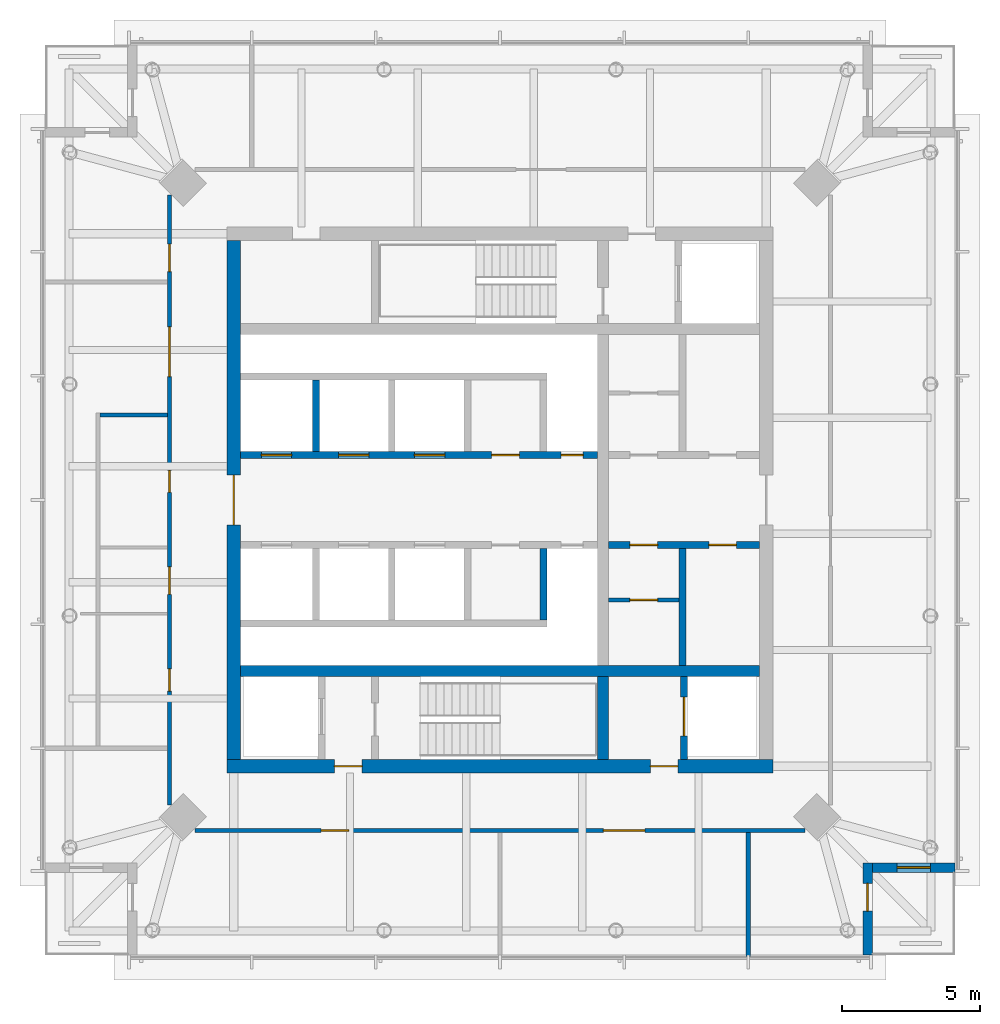
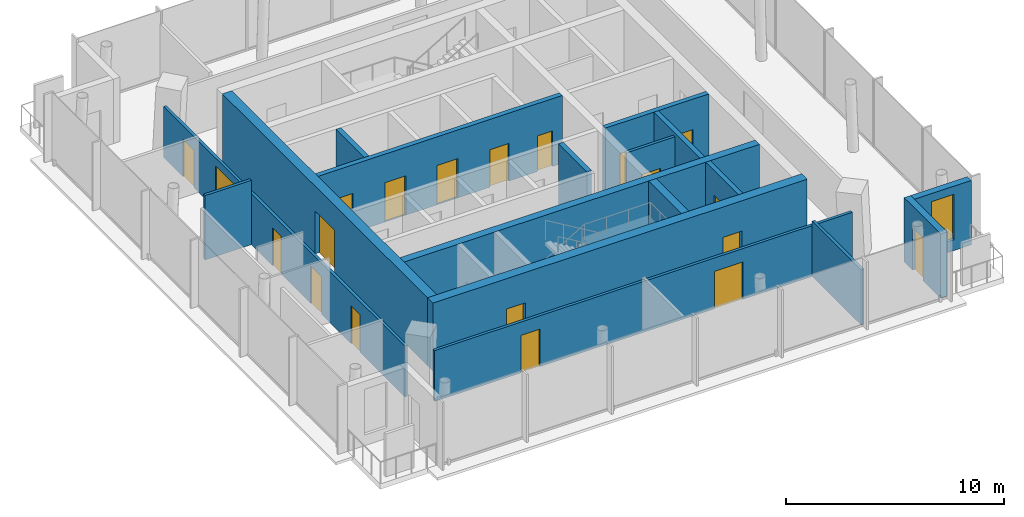
# One storey, part 4 of 8: 20 doors, 17 walls, 1 window, 21 openings.
"""IFC4 building model written with IfcOpenShell, lengths in metres."""

from ifc_helpers import new_model, si_unit, direction, frame, frame_2d, origin, place, context, subcontext, project, spatial, rectangle, extrude, material, layer, layer_set, type_object, element, fill, save


model = new_model("IFC4")

# Units and contexts
model_context = context("Model", 3, precision=1e-05, world=origin(), true_north=direction((0.0, 1.0)))
body_context = subcontext(model_context, "Body", "Model", "MODEL_VIEW")
ifc_project = project(units=[si_unit("LENGTHUNIT", "METRE"), si_unit("AREAUNIT", "SQUARE_METRE"), si_unit("VOLUMEUNIT", "CUBIC_METRE"), si_unit("PLANEANGLEUNIT", "RADIAN"), si_unit("MASSUNIT", "GRAM", prefix="KILO")], contexts=[model_context])

# Site, building, storey
site_placement = place(None, origin())
site = spatial("IfcSite", under=ifc_project, at=site_placement, CompositionType="ELEMENT")
building_placement = place(site_placement, origin())
building = spatial("IfcBuilding", under=site, at=building_placement, Name="Ostroluk Exchange", CompositionType="ELEMENT")
storey_placement = place(building_placement, frame((0.0, 0.0, 283.199951171875)))
storey = spatial("IfcBuildingStorey", under=building, at=storey_placement, Name="L73", CompositionType="ELEMENT", Elevation=283.199951171875)

# Wall, opening, door
ifc_material_1 = material(Name="Concrete blockwork", Category="masonry")
ifc_layer_1 = layer(ifc_material_1, 0.14990234375)
ifc_layer_set_1 = layer_set([ifc_layer_1], Name="Blockwork plant room wall 150")
wall_type_1 = type_object("IfcWallType", Name="Blockwork plant room wall 150", PredefinedType="SOLIDWALL", material=ifc_layer_set_1)
wall_1_placement = place(storey_placement, frame((48.929931640625, 42.3798828125, 0.0), z_axis=(0.0, 0.0, 1.0), x_axis=(1.0, 0.0, 0.0)))
wall_1 = element("IfcWall", 1, at=wall_1_placement, inside=storey, type_object=wall_type_1, Name="Core room wall", PredefinedType="SOLIDWALL", context=body_context, shape_type="SweptSolid", body=[
    extrude(rectangle(XDim=2.56005859375, YDim=0.14990234375, at=frame_2d((1.280029296875, 0.0))), origin(), (0.0, 0.0, 1.0), 3.60009765625),
])
opening_1_placement = place(wall_1_placement, frame((0.780029296875, 0.0, 0.0)))
opening_1 = element("IfcOpeningElement", 2, at=opening_1_placement, cuts=wall_1, Name="Opening FD60", PredefinedType="OPENING", context=body_context, shape_type="SweptSolid", body=[
    extrude(rectangle(XDim=1.0, YDim=2.10009765625, at=frame_2d((0.5, 1.050048828125))), frame((0.0, 0.0849609375, 0.0), z_axis=(0.0, -1.0, 0.0), x_axis=(1.0, 0.0, 0.0)), (0.0, 0.0, 1.0), 0.169921875),
])
ifc_material_2 = material(Name="Steel", Category="steel")
door_type_1 = type_object("IfcDoorType", Name="Fire door EI 60 1000 x 2100", OperationType="SINGLE_SWING_LEFT", PredefinedType="DOOR", material=ifc_material_2)
door_1_placement = place(opening_1_placement, origin())
door_1 = element("IfcDoor", 3, at=door_1_placement, inside=storey, type_object=door_type_1, Name="Store door", OperationType="SINGLE_SWING_LEFT", OverallHeight=2.10009765625, OverallWidth=1.0, PredefinedType="DOOR", context=body_context, shape_type="SweptSolid", body=[
    extrude(rectangle(XDim=1.0, YDim=2.10009765625, at=frame_2d((0.5, 1.050048828125))), frame((0.0, 0.02490234375, 0.0), z_axis=(0.0, -1.0, 0.0), x_axis=(1.0, 0.0, 0.0)), (0.0, 0.0, 1.0), 0.050048828125),
])
fill(opening_1, door_1)

# Walls
ifc_material_3 = material(Name="Concrete C50/60", Category="concrete")
ifc_layer_2 = layer(ifc_material_3, 0.39990234375)
ifc_layer_set_2 = layer_set([ifc_layer_2], Name="Core cross wall 400 C50/60")
wall_type_2 = type_object("IfcWallType", Name="Core cross wall 400 C50/60", PredefinedType="SHEAR", material=ifc_layer_set_2)
wall_2_placement = place(storey_placement, frame((35.60009765625, 39.800048828125, 0.0), z_axis=(0.0, 0.0, 1.0), x_axis=(1.0, 0.0, 0.0)))
element("IfcWall", 4, at=wall_2_placement, inside=storey, type_object=wall_type_2, Name="T1 core wall XS", PredefinedType="SHEAR", context=body_context, shape_type="SweptSolid", body=[
    extrude(rectangle(XDim=18.7998046875, YDim=0.39990234375, at=frame_2d((9.39990234375, 0.0))), origin(), (0.0, 0.0, 1.0), 3.800048828125),
])
wall_3_placement = place(storey_placement, frame((48.72998046875, 36.60009765625, 0.0), z_axis=(0.0, 0.0, 1.0), x_axis=(0.0, 1.0, 0.0)))
element("IfcWall", 5, at=wall_3_placement, inside=storey, type_object=wall_type_2, Name="T1 core wall YE1", PredefinedType="SHEAR", context=body_context, shape_type="SweptSolid", body=[
    extrude(rectangle(XDim=3.0, YDim=0.39990234375, at=frame_2d((1.5, 0.0))), origin(), (0.0, 0.0, 1.0), 3.800048828125),
])

# Wall, opening, door
ifc_material_4 = material(Name="Concrete C40/50", Category="concrete")
ifc_layer_3 = layer(ifc_material_4, 0.25)
ifc_layer_set_3 = layer_set([ifc_layer_3], Name="Core shaft wall 250")
wall_type_3 = type_object("IfcWallType", Name="Core shaft wall 250", PredefinedType="SHEAR", material=ifc_layer_set_3)
wall_4_placement = place(storey_placement, frame((51.675048828125, 36.60009765625, 0.0), z_axis=(0.0, 0.0, 1.0), x_axis=(0.0, 1.0, 0.0)))
wall_4 = element("IfcWall", 6, at=wall_4_placement, inside=storey, type_object=wall_type_3, Name="Service lift shaft wall", PredefinedType="SHEAR", context=body_context, shape_type="SweptSolid", body=[
    extrude(rectangle(XDim=3.0, YDim=0.25, at=frame_2d((1.5, 0.0))), origin(), (0.0, 0.0, 1.0), 3.800048828125),
])
opening_2_placement = place(wall_4_placement, frame((0.85009765625, 0.0, 0.0)))
opening_2 = element("IfcOpeningElement", 7, at=opening_2_placement, cuts=wall_4, Name="Opening LD3", PredefinedType="OPENING", context=body_context, shape_type="SweptSolid", body=[
    extrude(rectangle(XDim=1.39990234375, YDim=2.39990234375, at=frame_2d((0.699951171875, 1.199951171875))), frame((0.0, 0.135009765625, 0.0), z_axis=(0.0, -1.0, 0.0), x_axis=(1.0, 0.0, 0.0)), (0.0, 0.0, 1.0), 0.27001953125),
])
ifc_material_5 = material(Name="Stainless steel", Category="steel")
door_type_2 = type_object("IfcDoorType", Name="Goods lift landing door E 60 1400 x 2400", OperationType="DOUBLE_DOOR_SLIDING", PredefinedType="DOOR", material=ifc_material_5)
door_2_placement = place(opening_2_placement, origin())
door_2 = element("IfcDoor", 8, at=door_2_placement, inside=storey, type_object=door_type_2, Name="Lift SL1 landing door", OperationType="DOUBLE_DOOR_SLIDING", OverallHeight=2.39990234375, OverallWidth=1.39990234375, PredefinedType="DOOR", context=body_context, shape_type="SweptSolid", body=[
    extrude(rectangle(XDim=1.39990234375, YDim=2.39990234375, at=frame_2d((0.699951171875, 1.199951171875))), frame((0.0, 0.02490234375, 0.0), z_axis=(0.0, -1.0, 0.0), x_axis=(1.0, 0.0, 0.0)), (0.0, 0.0, 1.0), 0.050048828125),
])
fill(opening_2, door_2)

# Wall
wall_5_placement = place(storey_placement, frame((38.324951171875, 47.75, 0.0), z_axis=(0.0, 0.0, 1.0), x_axis=(0.0, 1.0, 0.0)))
element("IfcWall", 9, at=wall_5_placement, inside=storey, type_object=wall_type_3, Name="Lift shaft wall", PredefinedType="SHEAR", context=body_context, shape_type="SweptSolid", body=[
    extrude(rectangle(XDim=2.60009765625, YDim=0.25, at=frame_2d((1.300048828125, 0.0))), origin(), (0.0, 0.0, 1.0), 3.800048828125),
])

# Wall, openings, doors
wall_6_placement = place(storey_placement, frame((35.60009765625, 47.625, 0.0), z_axis=(0.0, 0.0, 1.0), x_axis=(1.0, 0.0, 0.0)))
wall_6 = element("IfcWall", 10, at=wall_6_placement, inside=storey, type_object=wall_type_3, Name="Lift shaft front wall", PredefinedType="SHEAR", context=body_context, shape_type="SweptSolid", body=[
    extrude(rectangle(XDim=12.929931640625, YDim=0.25, at=frame_2d((6.46484375, 0.0))), origin(), (0.0, 0.0, 1.0), 3.800048828125),
])
opening_3_placement = place(wall_6_placement, frame((0.75, 0.0, 0.0)))
opening_3 = element("IfcOpeningElement", 11, at=opening_3_placement, cuts=wall_6, Name="Opening LD", PredefinedType="OPENING", context=body_context, shape_type="SweptSolid", body=[
    extrude(rectangle(XDim=1.10009765625, YDim=2.199951171875, at=frame_2d((0.550048828125, 1.10009765625))), frame((0.0, 0.135009765625, 0.0), z_axis=(0.0, -1.0, 0.0), x_axis=(1.0, 0.0, 0.0)), (0.0, 0.0, 1.0), 0.27001953125),
])
opening_4_placement = place(wall_6_placement, frame((3.550048828125, 0.0, 0.0)))
opening_4 = element("IfcOpeningElement", 12, at=opening_4_placement, cuts=wall_6, Name="Opening LD", PredefinedType="OPENING", context=body_context, shape_type="SweptSolid", body=[
    extrude(rectangle(XDim=1.10009765625, YDim=2.199951171875, at=frame_2d((0.550048828125, 1.10009765625))), frame((0.0, 0.135009765625, 0.0), z_axis=(0.0, -1.0, 0.0), x_axis=(1.0, 0.0, 0.0)), (0.0, 0.0, 1.0), 0.27001953125),
])
opening_5_placement = place(wall_6_placement, frame((6.300048828125, 0.0, 0.0)))
opening_5 = element("IfcOpeningElement", 13, at=opening_5_placement, cuts=wall_6, Name="Opening LD", PredefinedType="OPENING", context=body_context, shape_type="SweptSolid", body=[
    extrude(rectangle(XDim=1.10009765625, YDim=2.199951171875, at=frame_2d((0.550048828125, 1.10009765625))), frame((0.0, 0.135009765625, 0.0), z_axis=(0.0, -1.0, 0.0), x_axis=(1.0, 0.0, 0.0)), (0.0, 0.0, 1.0), 0.27001953125),
])
opening_6_placement = place(wall_6_placement, frame((9.10009765625, 0.0, 0.0)))
opening_6 = element("IfcOpeningElement", 14, at=opening_6_placement, cuts=wall_6, Name="Opening FD60", PredefinedType="OPENING", context=body_context, shape_type="SweptSolid", body=[
    extrude(rectangle(XDim=1.0, YDim=2.10009765625, at=frame_2d((0.5, 1.050048828125))), frame((0.0, 0.135009765625, 0.0), z_axis=(0.0, -1.0, 0.0), x_axis=(1.0, 0.0, 0.0)), (0.0, 0.0, 1.0), 0.27001953125),
])
opening_7_placement = place(wall_6_placement, frame((11.614990234375, 0.0, 0.0)))
opening_7 = element("IfcOpeningElement", 15, at=opening_7_placement, cuts=wall_6, Name="Opening RD60", PredefinedType="OPENING", context=body_context, shape_type="SweptSolid", body=[
    extrude(rectangle(XDim=0.800048828125, YDim=2.0, at=frame_2d((0.39990234375, 1.0))), frame((0.0, 0.135009765625, 0.0), z_axis=(0.0, -1.0, 0.0), x_axis=(1.0, 0.0, 0.0)), (0.0, 0.0, 1.0), 0.27001953125),
])
door_3_placement = place(opening_6_placement, origin())
door_3 = element("IfcDoor", 16, at=door_3_placement, inside=storey, type_object=door_type_1, Name="Core room door", OperationType="SINGLE_SWING_RIGHT", OverallHeight=2.10009765625, OverallWidth=1.0, PredefinedType="DOOR", context=body_context, shape_type="SweptSolid", body=[
    extrude(rectangle(XDim=1.0, YDim=2.10009765625, at=frame_2d((0.5, 1.050048828125))), frame((0.0, 0.02490234375, 0.0), z_axis=(0.0, -1.0, 0.0), x_axis=(1.0, 0.0, 0.0)), (0.0, 0.0, 1.0), 0.050048828125),
])
fill(opening_6, door_3)
ifc_material_6 = material(Name="Stainless steel", Category="steel")
door_type_3 = type_object("IfcDoorType", Name="Lift landing door E 60 1100 x 2200", OperationType="DOUBLE_DOOR_SLIDING", PredefinedType="DOOR", material=ifc_material_6)
door_4_placement = place(opening_3_placement, origin())
door_4 = element("IfcDoor", 17, at=door_4_placement, inside=storey, type_object=door_type_3, Name="Lift PL-T1 landing door", OperationType="DOUBLE_DOOR_SLIDING", OverallHeight=2.199951171875, OverallWidth=1.10009765625, PredefinedType="DOOR", context=body_context, shape_type="SweptSolid", body=[
    extrude(rectangle(XDim=1.10009765625, YDim=2.199951171875, at=frame_2d((0.550048828125, 1.10009765625))), frame((0.0, 0.02490234375, 0.0), z_axis=(0.0, -1.0, 0.0), x_axis=(1.0, 0.0, 0.0)), (0.0, 0.0, 1.0), 0.050048828125),
])
fill(opening_3, door_4)
door_5_placement = place(opening_4_placement, origin())
door_5 = element("IfcDoor", 18, at=door_5_placement, inside=storey, type_object=door_type_3, Name="Lift PL-T2 landing door", OperationType="DOUBLE_DOOR_SLIDING", OverallHeight=2.199951171875, OverallWidth=1.10009765625, PredefinedType="DOOR", context=body_context, shape_type="SweptSolid", body=[
    extrude(rectangle(XDim=1.10009765625, YDim=2.199951171875, at=frame_2d((0.550048828125, 1.10009765625))), frame((0.0, 0.02490234375, 0.0), z_axis=(0.0, -1.0, 0.0), x_axis=(1.0, 0.0, 0.0)), (0.0, 0.0, 1.0), 0.050048828125),
])
fill(opening_4, door_5)
door_6_placement = place(opening_5_placement, origin())
door_6 = element("IfcDoor", 19, at=door_6_placement, inside=storey, type_object=door_type_3, Name="Lift PL-T3 landing door", OperationType="DOUBLE_DOOR_SLIDING", OverallHeight=2.199951171875, OverallWidth=1.10009765625, PredefinedType="DOOR", context=body_context, shape_type="SweptSolid", body=[
    extrude(rectangle(XDim=1.10009765625, YDim=2.199951171875, at=frame_2d((0.550048828125, 1.10009765625))), frame((0.0, 0.02490234375, 0.0), z_axis=(0.0, -1.0, 0.0), x_axis=(1.0, 0.0, 0.0)), (0.0, 0.0, 1.0), 0.050048828125),
])
fill(opening_5, door_6)
ifc_material_7 = material(Name="Steel", Category="steel")
door_type_4 = type_object("IfcDoorType", Name="Riser access door EI 60 800 x 2000", OperationType="SINGLE_SWING_LEFT", PredefinedType="DOOR", material=ifc_material_7)
door_7_placement = place(opening_7_placement, origin())
door_7 = element("IfcDoor", 20, at=door_7_placement, inside=storey, type_object=door_type_4, Name="Riser access door", OperationType="SINGLE_SWING_RIGHT", OverallHeight=2.0, OverallWidth=0.800048828125, PredefinedType="DOOR", context=body_context, shape_type="SweptSolid", body=[
    extrude(rectangle(XDim=0.800048828125, YDim=2.0, at=frame_2d((0.39990234375, 1.0))), frame((0.0, 0.02490234375, 0.0), z_axis=(0.0, -1.0, 0.0), x_axis=(1.0, 0.0, 0.0)), (0.0, 0.0, 1.0), 0.050048828125),
])
fill(opening_7, door_7)

# Walls
wall_7_placement = place(storey_placement, frame((46.574951171875, 44.25, 0.0), z_axis=(0.0, 0.0, 1.0), x_axis=(0.0, -1.0, 0.0)))
element("IfcWall", 21, at=wall_7_placement, inside=storey, type_object=wall_type_3, Name="Lift shaft wall", PredefinedType="SHEAR", context=body_context, shape_type="SweptSolid", body=[
    extrude(rectangle(XDim=2.60009765625, YDim=0.25, at=frame_2d((1.300048828125, 0.0))), origin(), (0.0, 0.0, 1.0), 3.800048828125),
])
wall_8_placement = place(storey_placement, frame((51.614990234375, 44.25, 0.0), z_axis=(0.0, 0.0, 1.0), x_axis=(0.0, -1.0, 0.0)))
element("IfcWall", 22, at=wall_8_placement, inside=storey, type_object=wall_type_3, Name="Lift shaft wall", PredefinedType="SHEAR", context=body_context, shape_type="SweptSolid", body=[
    extrude(rectangle(XDim=4.25, YDim=0.25, at=frame_2d((2.125, 0.0))), origin(), (0.0, 0.0, 1.0), 3.800048828125),
])

# Wall, openings, doors
wall_9_placement = place(storey_placement, frame((48.929931640625, 44.375, 0.0), z_axis=(0.0, 0.0, 1.0), x_axis=(1.0, 0.0, 0.0)))
wall_9 = element("IfcWall", 23, at=wall_9_placement, inside=storey, type_object=wall_type_3, Name="Lift shaft front wall", PredefinedType="SHEAR", context=body_context, shape_type="SweptSolid", body=[
    extrude(rectangle(XDim=5.469970703125, YDim=0.25, at=frame_2d((2.73486328125, 0.0))), origin(), (0.0, 0.0, 1.0), 3.800048828125),
])
opening_8_placement = place(wall_9_placement, frame((0.780029296875, 0.0, 0.0)))
opening_8 = element("IfcOpeningElement", 24, at=opening_8_placement, cuts=wall_9, Name="Opening FD60", PredefinedType="OPENING", context=body_context, shape_type="SweptSolid", body=[
    extrude(rectangle(XDim=1.0, YDim=2.10009765625, at=frame_2d((0.5, 1.050048828125))), frame((0.0, 0.135009765625, 0.0), z_axis=(0.0, -1.0, 0.0), x_axis=(1.0, 0.0, 0.0)), (0.0, 0.0, 1.0), 0.27001953125),
])
opening_9_placement = place(wall_9_placement, frame((3.639892578125, 0.0, 0.0)))
opening_9 = element("IfcOpeningElement", 25, at=opening_9_placement, cuts=wall_9, Name="Opening FD60", PredefinedType="OPENING", context=body_context, shape_type="SweptSolid", body=[
    extrude(rectangle(XDim=1.0, YDim=2.10009765625, at=frame_2d((0.5, 1.050048828125))), frame((0.0, 0.135009765625, 0.0), z_axis=(0.0, -1.0, 0.0), x_axis=(1.0, 0.0, 0.0)), (0.0, 0.0, 1.0), 0.27001953125),
])
door_8_placement = place(opening_8_placement, origin())
door_8 = element("IfcDoor", 26, at=door_8_placement, inside=storey, type_object=door_type_1, Name="Core room door", OperationType="SINGLE_SWING_LEFT", OverallHeight=2.10009765625, OverallWidth=1.0, PredefinedType="DOOR", context=body_context, shape_type="SweptSolid", body=[
    extrude(rectangle(XDim=1.0, YDim=2.10009765625, at=frame_2d((0.5, 1.050048828125))), frame((0.0, 0.02490234375, 0.0), z_axis=(0.0, -1.0, 0.0), x_axis=(1.0, 0.0, 0.0)), (0.0, 0.0, 1.0), 0.050048828125),
])
fill(opening_8, door_8)
door_9_placement = place(opening_9_placement, origin())
door_9 = element("IfcDoor", 27, at=door_9_placement, inside=storey, type_object=door_type_1, Name="Core room door", OperationType="SINGLE_SWING_RIGHT", OverallHeight=2.10009765625, OverallWidth=1.0, PredefinedType="DOOR", context=body_context, shape_type="SweptSolid", body=[
    extrude(rectangle(XDim=1.0, YDim=2.10009765625, at=frame_2d((0.5, 1.050048828125))), frame((0.0, 0.02490234375, 0.0), z_axis=(0.0, -1.0, 0.0), x_axis=(1.0, 0.0, 0.0)), (0.0, 0.0, 1.0), 0.050048828125),
])
fill(opening_9, door_9)

ifc_material_8 = material(Name="Concrete C50/60", Category="concrete")
ifc_layer_4 = layer(ifc_material_8, 0.5)
ifc_layer_set_4 = layer_set([ifc_layer_4], Name="Core wall 500 C50/60")
wall_type_4 = type_object("IfcWallType", Name="Core wall 500 C50/60", PredefinedType="SHEAR", material=ifc_layer_set_4)
wall_10_placement = place(storey_placement, frame((35.10009765625, 36.35009765625, 0.0), z_axis=(0.0, 0.0, 1.0), x_axis=(1.0, 0.0, 0.0)))
wall_10 = element("IfcWall", 28, at=wall_10_placement, inside=storey, type_object=wall_type_4, Name="T1 core wall S", PredefinedType="SHEAR", context=body_context, shape_type="SweptSolid", body=[
    extrude(rectangle(XDim=19.7998046875, YDim=0.5, at=frame_2d((9.89990234375, 0.0))), origin(), (0.0, 0.0, 1.0), 3.800048828125),
])
opening_10_placement = place(wall_10_placement, frame((3.89990234375, 0.0, 0.0)))
opening_10 = element("IfcOpeningElement", 29, at=opening_10_placement, cuts=wall_10, Name="Opening FD60", PredefinedType="OPENING", context=body_context, shape_type="SweptSolid", body=[
    extrude(rectangle(XDim=1.0, YDim=2.10009765625, at=frame_2d((0.5, 1.050048828125))), frame((0.0, 0.260009765625, 0.0), z_axis=(0.0, -1.0, 0.0), x_axis=(1.0, 0.0, 0.0)), (0.0, 0.0, 1.0), 0.52001953125),
])
opening_11_placement = place(wall_10_placement, frame((15.35009765625, 0.0, 0.0)))
opening_11 = element("IfcOpeningElement", 30, at=opening_11_placement, cuts=wall_10, Name="Opening FD60", PredefinedType="OPENING", context=body_context, shape_type="SweptSolid", body=[
    extrude(rectangle(XDim=1.0, YDim=2.10009765625, at=frame_2d((0.5, 1.050048828125))), frame((0.0, 0.260009765625, 0.0), z_axis=(0.0, -1.0, 0.0), x_axis=(1.0, 0.0, 0.0)), (0.0, 0.0, 1.0), 0.52001953125),
])
door_10_placement = place(opening_10_placement, origin())
door_10 = element("IfcDoor", 31, at=door_10_placement, inside=storey, type_object=door_type_1, Name="Firefighting lobby door", OperationType="SINGLE_SWING_LEFT", OverallHeight=2.10009765625, OverallWidth=1.0, PredefinedType="DOOR", context=body_context, shape_type="SweptSolid", body=[
    extrude(rectangle(XDim=1.0, YDim=2.10009765625, at=frame_2d((0.5, 1.050048828125))), frame((0.0, 0.02490234375, 0.0), z_axis=(0.0, -1.0, 0.0), x_axis=(1.0, 0.0, 0.0)), (0.0, 0.0, 1.0), 0.050048828125),
])
fill(opening_10, door_10)
door_11_placement = place(opening_11_placement, origin())
door_11 = element("IfcDoor", 32, at=door_11_placement, inside=storey, type_object=door_type_1, Name="Service lobby door", OperationType="SINGLE_SWING_RIGHT", OverallHeight=2.10009765625, OverallWidth=1.0, PredefinedType="DOOR", context=body_context, shape_type="SweptSolid", body=[
    extrude(rectangle(XDim=1.0, YDim=2.10009765625, at=frame_2d((0.5, 1.050048828125))), frame((0.0, 0.02490234375, 0.0), z_axis=(0.0, -1.0, 0.0), x_axis=(1.0, 0.0, 0.0)), (0.0, 0.0, 1.0), 0.050048828125),
])
fill(opening_11, door_11)

# Wall, opening, door
wall_11_placement = place(storey_placement, frame((35.35009765625, 36.60009765625, 0.0), z_axis=(0.0, 0.0, 1.0), x_axis=(0.0, 1.0, 0.0)))
wall_11 = element("IfcWall", 33, at=wall_11_placement, inside=storey, type_object=wall_type_4, Name="T1 core wall W", PredefinedType="SHEAR", context=body_context, shape_type="SweptSolid", body=[
    extrude(rectangle(XDim=18.7998046875, YDim=0.5, at=frame_2d((9.39990234375, 0.0))), origin(), (0.0, 0.0, 1.0), 3.800048828125),
])
opening_12_placement = place(wall_11_placement, frame((8.5, 0.0, 0.0)))
opening_12 = element("IfcOpeningElement", 34, at=opening_12_placement, cuts=wall_11, Name="Opening FD30D", PredefinedType="OPENING", context=body_context, shape_type="SweptSolid", body=[
    extrude(rectangle(XDim=1.800048828125, YDim=2.39990234375, at=frame_2d((0.89990234375, 1.199951171875))), frame((0.0, 0.260009765625, 0.0), z_axis=(0.0, -1.0, 0.0), x_axis=(1.0, 0.0, 0.0)), (0.0, 0.0, 1.0), 0.52001953125),
])
ifc_material_9 = material(Name="Timber", Category="wood")
door_type_5 = type_object("IfcDoorType", Name="Lobby double door EI 30 1800 x 2400", OperationType="DOUBLE_DOOR_SINGLE_SWING", PredefinedType="DOOR", material=ifc_material_9)
door_12_placement = place(opening_12_placement, origin())
door_12 = element("IfcDoor", 35, at=door_12_placement, inside=storey, type_object=door_type_5, Name="Lift lobby doors", OperationType="DOUBLE_DOOR_SINGLE_SWING", OverallHeight=2.39990234375, OverallWidth=1.800048828125, PredefinedType="DOOR", context=body_context, shape_type="SweptSolid", body=[
    extrude(rectangle(XDim=1.800048828125, YDim=2.39990234375, at=frame_2d((0.89990234375, 1.199951171875))), frame((0.0, 0.02490234375, 0.0), z_axis=(0.0, -1.0, 0.0), x_axis=(1.0, 0.0, 0.0)), (0.0, 0.0, 1.0), 0.050048828125),
])
fill(opening_12, door_12)

ifc_material_10 = material(Name="Limestone", Category="masonry")
ifc_layer_5 = layer(ifc_material_10, 0.35009765625)
ifc_layer_set_5 = layer_set([ifc_layer_5], Name="Limestone facade wall 350")
wall_type_5 = type_object("IfcWallType", Name="Limestone facade wall 350", PredefinedType="SOLIDWALL", material=ifc_layer_set_5)
wall_12_placement = place(storey_placement, frame((58.324951171875, 29.5, 0.0), z_axis=(0.0, 0.0, 1.0), x_axis=(0.0, 1.0, 0.0)))
wall_12 = element("IfcWall", 36, at=wall_12_placement, inside=storey, type_object=wall_type_5, Name="Office tower SE corner wall L73 a", PredefinedType="SOLIDWALL", context=body_context, shape_type="SweptSolid", body=[
    extrude(rectangle(XDim=3.35009765625, YDim=0.35009765625, at=frame_2d((1.675048828125, 0.0))), origin(), (0.0, 0.0, 1.0), 3.60009765625),
])
opening_13_placement = place(wall_12_placement, frame((1.60009765625, 0.0, 0.0)))
opening_13 = element("IfcOpeningElement", 37, at=opening_13_placement, cuts=wall_12, Name="Opening D-B1", PredefinedType="OPENING", context=body_context, shape_type="SweptSolid", body=[
    extrude(rectangle(XDim=1.0, YDim=2.39990234375, at=frame_2d((0.5, 1.199951171875))), frame((0.0, 0.18505859375, 0.0), z_axis=(0.0, -1.0, 0.0), x_axis=(1.0, 0.0, 0.0)), (0.0, 0.0, 1.0), 0.3701171875),
])
ifc_material_11 = material(Name="Bronze framed glazed door", Category="aluminium")
door_type_6 = type_object("IfcDoorType", Name="Balcony door 1000 x 2400", OperationType="SINGLE_SWING_LEFT", PredefinedType="DOOR", material=ifc_material_11)
door_13_placement = place(opening_13_placement, origin())
door_13 = element("IfcDoor", 38, at=door_13_placement, inside=storey, type_object=door_type_6, Name="Office tower SE balcony door L73", OperationType="SINGLE_SWING_RIGHT", OverallHeight=2.39990234375, OverallWidth=1.0, PredefinedType="DOOR", context=body_context, shape_type="SweptSolid", body=[
    extrude(rectangle(XDim=1.0, YDim=2.39990234375, at=frame_2d((0.5, 1.199951171875))), frame((0.0, 0.02490234375, 0.0), z_axis=(0.0, -1.0, 0.0), x_axis=(1.0, 0.0, 0.0)), (0.0, 0.0, 1.0), 0.050048828125),
])
fill(opening_13, door_13)

# Wall, opening, window
wall_13_placement = place(storey_placement, frame((58.5, 32.675048828125, 0.0), z_axis=(0.0, 0.0, 1.0), x_axis=(1.0, 0.0, 0.0)))
wall_13 = element("IfcWall", 39, at=wall_13_placement, inside=storey, type_object=wall_type_5, Name="Office tower SE corner wall L73 b", PredefinedType="SOLIDWALL", context=body_context, shape_type="SweptSolid", body=[
    extrude(rectangle(XDim=3.0, YDim=0.35009765625, at=frame_2d((1.5, 0.0))), origin(), (0.0, 0.0, 1.0), 3.60009765625),
])
opening_14_placement = place(wall_13_placement, frame((0.89990234375, 0.0, 0.60009765625)))
opening_14 = element("IfcOpeningElement", 40, at=opening_14_placement, cuts=wall_13, Name="Opening WN-L1", PredefinedType="OPENING", context=body_context, shape_type="SweptSolid", body=[
    extrude(rectangle(XDim=1.199951171875, YDim=2.550048828125, at=frame_2d((0.60009765625, 1.27490234375))), frame((0.0, 0.18505859375, 0.0), z_axis=(0.0, -1.0, 0.0), x_axis=(1.0, 0.0, 0.0)), (0.0, 0.0, 1.0), 0.3701171875),
])
ifc_material_12 = material(Name="Laminated clear glass", Category="glass")
window_type = type_object("IfcWindowType", Name="Lancet window 1200 x 2550", PartitioningType="SINGLE_PANEL", PredefinedType="WINDOW", material=ifc_material_12)
window_placement = place(opening_14_placement, origin())
window = element("IfcWindow", 41, at=window_placement, inside=storey, type_object=window_type, Name="Office tower SE lancet window L73", OverallHeight=2.550048828125, OverallWidth=1.199951171875, PartitioningType="SINGLE_PANEL", PredefinedType="WINDOW", context=body_context, shape_type="SweptSolid", body=[
    extrude(rectangle(XDim=1.199951171875, YDim=2.550048828125, at=frame_2d((0.60009765625, 1.27490234375))), frame((0.0, 0.030029296875, 0.0), z_axis=(0.0, -1.0, 0.0), x_axis=(1.0, 0.0, 0.0)), (0.0, 0.0, 1.0), 0.06005859375),
])
fill(opening_14, window)

# Wall, openings, doors
ifc_material_13 = material(Name="Gypsum plasterboard partition", Category="gypsum")
ifc_layer_6 = layer(ifc_material_13, 0.14990234375)
ifc_layer_set_6 = layer_set([ifc_layer_6], Name="Plasterboard partition 150")
wall_type_6 = type_object("IfcWallType", Name="Plasterboard partition 150", PredefinedType="PARTITIONING", material=ifc_layer_set_6)
wall_14_placement = place(storey_placement, frame((33.02490234375, 57.051513671875, 0.0), z_axis=(0.0, 0.0, 1.0), x_axis=(0.0, -1.0, 0.0)))
wall_14 = element("IfcWall", 42, at=wall_14_placement, inside=storey, type_object=wall_type_6, Name="Corridor wall", PredefinedType="PARTITIONING", context=body_context, shape_type="SweptSolid", body=[
    extrude(rectangle(XDim=22.10302734375, YDim=0.14990234375, at=frame_2d((11.051513671875, 0.0))), origin(), (0.0, 0.0, 1.0), 2.84716796875),
])
opening_15_placement = place(wall_14_placement, frame((9.9765625, 0.0, 0.0)))
opening_15 = element("IfcOpeningElement", 43, at=opening_15_placement, cuts=wall_14, Name="Opening D-06", PredefinedType="OPENING", context=body_context, shape_type="SweptSolid", body=[
    extrude(rectangle(XDim=0.800048828125, YDim=2.10009765625, at=frame_2d((0.39990234375, 1.050048828125))), frame((0.0, 0.0849609375, 0.0), z_axis=(0.0, -1.0, 0.0), x_axis=(1.0, 0.0, 0.0)), (0.0, 0.0, 1.0), 0.169921875),
])
opening_16_placement = place(wall_14_placement, frame((13.4765625, 0.0, 0.0)))
opening_16 = element("IfcOpeningElement", 44, at=opening_16_placement, cuts=wall_14, Name="Opening D-03", PredefinedType="OPENING", context=body_context, shape_type="SweptSolid", body=[
    extrude(rectangle(XDim=1.0, YDim=2.10009765625, at=frame_2d((0.5, 1.050048828125))), frame((0.0, 0.0849609375, 0.0), z_axis=(0.0, -1.0, 0.0), x_axis=(1.0, 0.0, 0.0)), (0.0, 0.0, 1.0), 0.169921875),
])
opening_17_placement = place(wall_14_placement, frame((17.176513671875, 0.0, 0.0)))
opening_17 = element("IfcOpeningElement", 45, at=opening_17_placement, cuts=wall_14, Name="Opening D-06", PredefinedType="OPENING", context=body_context, shape_type="SweptSolid", body=[
    extrude(rectangle(XDim=0.800048828125, YDim=2.10009765625, at=frame_2d((0.39990234375, 1.050048828125))), frame((0.0, 0.0849609375, 0.0), z_axis=(0.0, -1.0, 0.0), x_axis=(1.0, 0.0, 0.0)), (0.0, 0.0, 1.0), 0.169921875),
])
opening_18_placement = place(wall_14_placement, frame((1.7763671875, 0.0, 0.0)))
opening_18 = element("IfcOpeningElement", 46, at=opening_18_placement, cuts=wall_14, Name="Opening FD60", PredefinedType="OPENING", context=body_context, shape_type="SweptSolid", body=[
    extrude(rectangle(XDim=1.0, YDim=2.10009765625, at=frame_2d((0.5, 1.050048828125))), frame((0.0, 0.0849609375, 0.0), z_axis=(0.0, -1.0, 0.0), x_axis=(1.0, 0.0, 0.0)), (0.0, 0.0, 1.0), 0.169921875),
])
opening_19_placement = place(wall_14_placement, frame((4.7763671875, 0.0, 0.0)))
opening_19 = element("IfcOpeningElement", 47, at=opening_19_placement, cuts=wall_14, Name="Opening D-04", PredefinedType="OPENING", context=body_context, shape_type="SweptSolid", body=[
    extrude(rectangle(XDim=1.800048828125, YDim=2.39990234375, at=frame_2d((0.89990234375, 1.199951171875))), frame((0.0, 0.0849609375, 0.0), z_axis=(0.0, -1.0, 0.0), x_axis=(1.0, 0.0, 0.0)), (0.0, 0.0, 1.0), 0.169921875),
])
ifc_material_14 = material(Name="Timber", Category="wood")
door_type_7 = type_object("IfcDoorType", Name="Double door 1800 x 2400", OperationType="DOUBLE_DOOR_SINGLE_SWING", PredefinedType="DOOR", material=ifc_material_14)
door_14_placement = place(opening_19_placement, origin())
door_14 = element("IfcDoor", 48, at=door_14_placement, inside=storey, type_object=door_type_7, Name="Garden room door", OperationType="DOUBLE_DOOR_SINGLE_SWING", OverallHeight=2.39990234375, OverallWidth=1.800048828125, PredefinedType="DOOR", context=body_context, shape_type="SweptSolid", body=[
    extrude(rectangle(XDim=1.800048828125, YDim=2.39990234375, at=frame_2d((0.89990234375, 1.199951171875))), frame((0.0, 0.02490234375, 0.0), z_axis=(0.0, -1.0, 0.0), x_axis=(1.0, 0.0, 0.0)), (0.0, 0.0, 1.0), 0.050048828125),
])
fill(opening_19, door_14)
door_15_placement = place(opening_18_placement, origin())
door_15 = element("IfcDoor", 49, at=door_15_placement, inside=storey, type_object=door_type_1, Name="Maintenance lobby door", OperationType="SINGLE_SWING_LEFT", OverallHeight=2.10009765625, OverallWidth=1.0, PredefinedType="DOOR", context=body_context, shape_type="SweptSolid", body=[
    extrude(rectangle(XDim=1.0, YDim=2.10009765625, at=frame_2d((0.5, 1.050048828125))), frame((0.0, 0.02490234375, 0.0), z_axis=(0.0, -1.0, 0.0), x_axis=(1.0, 0.0, 0.0)), (0.0, 0.0, 1.0), 0.050048828125),
])
fill(opening_18, door_15)
ifc_material_15 = material(Name="Timber", Category="wood")
door_type_8 = type_object("IfcDoorType", Name="Internal door 1000 x 2100", OperationType="SINGLE_SWING_LEFT", PredefinedType="DOOR", material=ifc_material_15)
door_16_placement = place(opening_16_placement, origin())
door_16 = element("IfcDoor", 50, at=door_16_placement, inside=storey, type_object=door_type_8, Name="Accessible WC door", OperationType="SINGLE_SWING_RIGHT", OverallHeight=2.10009765625, OverallWidth=1.0, PredefinedType="DOOR", context=body_context, shape_type="SweptSolid", body=[
    extrude(rectangle(XDim=1.0, YDim=2.10009765625, at=frame_2d((0.5, 1.050048828125))), frame((0.0, 0.02490234375, 0.0), z_axis=(0.0, -1.0, 0.0), x_axis=(1.0, 0.0, 0.0)), (0.0, 0.0, 1.0), 0.050048828125),
])
fill(opening_16, door_16)
ifc_material_16 = material(Name="Timber", Category="wood")
door_type_9 = type_object("IfcDoorType", Name="Toilet door 800 x 2100", OperationType="SINGLE_SWING_LEFT", PredefinedType="DOOR", material=ifc_material_16)
door_17_placement = place(opening_15_placement, origin())
door_17 = element("IfcDoor", 51, at=door_17_placement, inside=storey, type_object=door_type_9, Name="WC female door", OperationType="SINGLE_SWING_LEFT", OverallHeight=2.10009765625, OverallWidth=0.800048828125, PredefinedType="DOOR", context=body_context, shape_type="SweptSolid", body=[
    extrude(rectangle(XDim=0.800048828125, YDim=2.10009765625, at=frame_2d((0.39990234375, 1.050048828125))), frame((0.0, 0.02490234375, 0.0), z_axis=(0.0, -1.0, 0.0), x_axis=(1.0, 0.0, 0.0)), (0.0, 0.0, 1.0), 0.050048828125),
])
fill(opening_15, door_17)
door_18_placement = place(opening_17_placement, origin())
door_18 = element("IfcDoor", 52, at=door_18_placement, inside=storey, type_object=door_type_9, Name="WC male door", OperationType="SINGLE_SWING_RIGHT", OverallHeight=2.10009765625, OverallWidth=0.800048828125, PredefinedType="DOOR", context=body_context, shape_type="SweptSolid", body=[
    extrude(rectangle(XDim=0.800048828125, YDim=2.10009765625, at=frame_2d((0.39990234375, 1.050048828125))), frame((0.0, 0.02490234375, 0.0), z_axis=(0.0, -1.0, 0.0), x_axis=(1.0, 0.0, 0.0)), (0.0, 0.0, 1.0), 0.050048828125),
])
fill(opening_17, door_18)

wall_15_placement = place(storey_placement, frame((33.948486328125, 34.02490234375, 0.0), z_axis=(0.0, 0.0, 1.0), x_axis=(1.0, 0.0, 0.0)))
wall_15 = element("IfcWall", 53, at=wall_15_placement, inside=storey, type_object=wall_type_6, Name="Corridor wall", PredefinedType="PARTITIONING", context=body_context, shape_type="SweptSolid", body=[
    extrude(rectangle(XDim=22.10302734375, YDim=0.14990234375, at=frame_2d((11.051513671875, 0.0))), origin(), (0.0, 0.0, 1.0), 2.84716796875),
])
opening_20_placement = place(wall_15_placement, frame((4.56396484375, 0.0, 0.0)))
opening_20 = element("IfcOpeningElement", 54, at=opening_20_placement, cuts=wall_15, Name="Opening D-03", PredefinedType="OPENING", context=body_context, shape_type="SweptSolid", body=[
    extrude(rectangle(XDim=1.0, YDim=2.10009765625, at=frame_2d((0.5, 1.050048828125))), frame((0.0, 0.0849609375, 0.0), z_axis=(0.0, -1.0, 0.0), x_axis=(1.0, 0.0, 0.0)), (0.0, 0.0, 1.0), 0.169921875),
])
opening_21_placement = place(wall_15_placement, frame((14.801513671875, 0.0, 0.0)))
opening_21 = element("IfcOpeningElement", 55, at=opening_21_placement, cuts=wall_15, Name="Opening D-07", PredefinedType="OPENING", context=body_context, shape_type="SweptSolid", body=[
    extrude(rectangle(XDim=1.5, YDim=2.10009765625, at=frame_2d((0.75, 1.050048828125))), frame((0.0, 0.0849609375, 0.0), z_axis=(0.0, -1.0, 0.0), x_axis=(1.0, 0.0, 0.0)), (0.0, 0.0, 1.0), 0.169921875),
])
door_19_placement = place(opening_20_placement, origin())
door_19 = element("IfcDoor", 56, at=door_19_placement, inside=storey, type_object=door_type_8, Name="Restaurant door", OperationType="SINGLE_SWING_LEFT", OverallHeight=2.10009765625, OverallWidth=1.0, PredefinedType="DOOR", context=body_context, shape_type="SweptSolid", body=[
    extrude(rectangle(XDim=1.0, YDim=2.10009765625, at=frame_2d((0.5, 1.050048828125))), frame((0.0, 0.02490234375, 0.0), z_axis=(0.0, -1.0, 0.0), x_axis=(1.0, 0.0, 0.0)), (0.0, 0.0, 1.0), 0.050048828125),
])
fill(opening_20, door_19)
ifc_material_17 = material(Name="Steel", Category="steel")
door_type_10 = type_object("IfcDoorType", Name="Kitchen double door 1500 x 2100", OperationType="DOUBLE_DOOR_DOUBLE_SWING", PredefinedType="DOOR", material=ifc_material_17)
door_20_placement = place(opening_21_placement, origin())
door_20 = element("IfcDoor", 57, at=door_20_placement, inside=storey, type_object=door_type_10, Name="Kitchen door", OperationType="DOUBLE_DOOR_DOUBLE_SWING", OverallHeight=2.10009765625, OverallWidth=1.5, PredefinedType="DOOR", context=body_context, shape_type="SweptSolid", body=[
    extrude(rectangle(XDim=1.5, YDim=2.10009765625, at=frame_2d((0.75, 1.050048828125))), frame((0.0, 0.02490234375, 0.0), z_axis=(0.0, -1.0, 0.0), x_axis=(1.0, 0.0, 0.0)), (0.0, 0.0, 1.0), 0.050048828125),
])
fill(opening_21, door_20)

# Walls
wall_16_placement = place(storey_placement, frame((54.0, 33.949951171875, 0.0), z_axis=(0.0, 0.0, 1.0), x_axis=(0.0, -1.0, 0.0)))
element("IfcWall", 58, at=wall_16_placement, inside=storey, type_object=wall_type_6, Name="Partition", PredefinedType="PARTITIONING", context=body_context, shape_type="SweptSolid", body=[
    extrude(rectangle(XDim=4.489990234375, YDim=0.14990234375, at=frame_2d((2.2451171875, 0.0))), origin(), (0.0, 0.0, 1.0), 3.10009765625),
])
ifc_material_18 = material(Name="Gypsum plasterboard partition, moisture resistant", Category="gypsum")
ifc_layer_7 = layer(ifc_material_18, 0.14990234375)
ifc_layer_set_7 = layer_set([ifc_layer_7], Name="Plasterboard toilet partition 150")
wall_type_7 = type_object("IfcWallType", Name="Plasterboard toilet partition 150", PredefinedType="PARTITIONING", material=ifc_layer_set_7)
wall_17_placement = place(storey_placement, frame((32.949951171875, 49.074951171875, 0.0), z_axis=(0.0, 0.0, 1.0), x_axis=(-1.0, 0.0, 0.0)))
element("IfcWall", 59, at=wall_17_placement, inside=storey, type_object=wall_type_7, Name="Toilet partition", PredefinedType="PARTITIONING", context=body_context, shape_type="SweptSolid", body=[
    extrude(rectangle(XDim=2.449951171875, YDim=0.14990234375, at=frame_2d((1.22509765625, 0.0))), origin(), (0.0, 0.0, 1.0), 3.60009765625),
])

save(model, "model.ifc")
